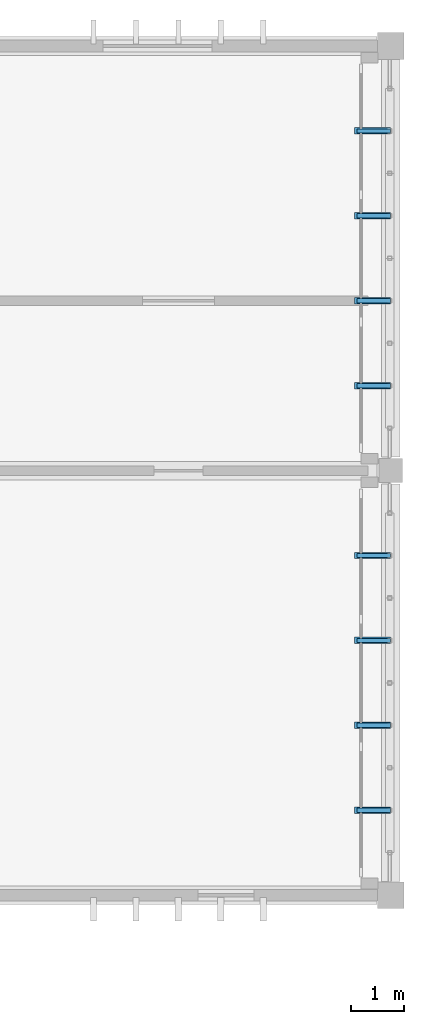
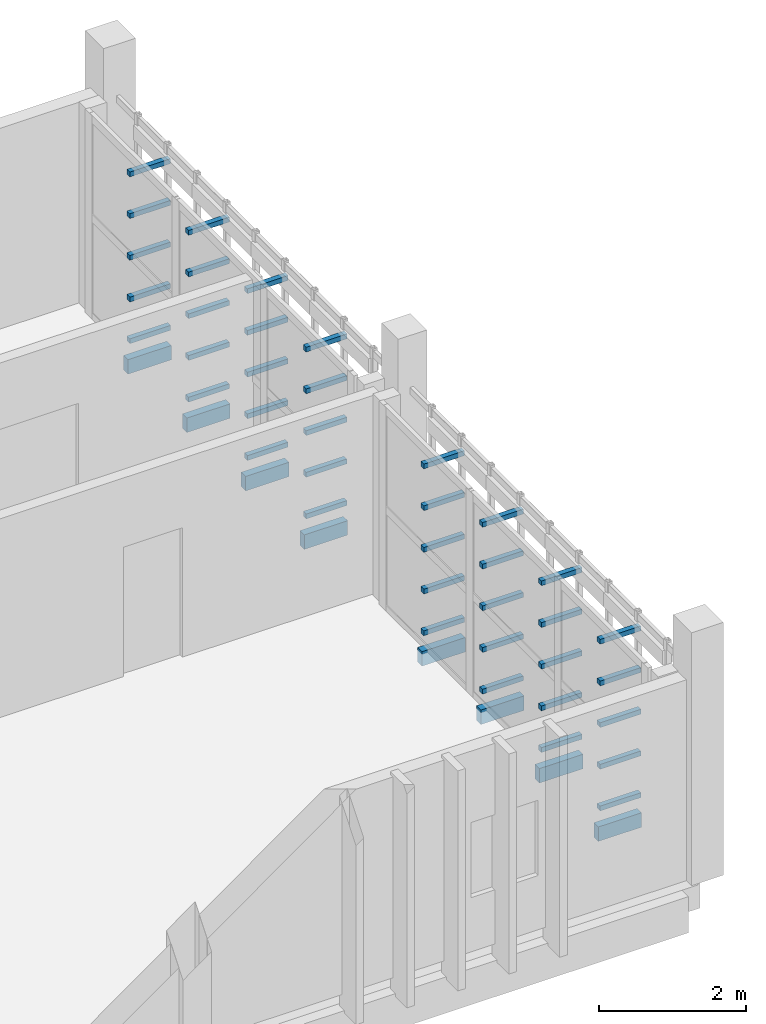
# One storey, part 15 of 16: 48 discrete accessories.
"""IFC4 building model written with IfcOpenShell, lengths in metres."""

import ifcopenshell
import ifcopenshell.guid

model = None  # the IFC model being written
_history = None  # IfcOwnerHistory: only IFC2X3 demands one
_inside = {}  # id of a spatial element -> (the spatial element, [elements in it])
_under = {}  # id of a project, library or spatial element -> (it, [spatial elements below it])
_declared = {}  # id of a project -> (the project, [libraries it declares])
_typed = {}  # id of a type object -> (the type object, [elements of that type])
_made_of = {}  # id of a material, layer set ... -> (it, [elements and type objects made of it])


def new_model(schema):
    """Start an empty IFC model of exactly this schema.

    Asked for "IFC4X3", IfcOpenShell would pick the latest addendum, in which some entities
    have other attributes; the version numbers below select the first issue.
    IFC2X3 requires an IfcOwnerHistory on every rooted entity: one is made here for all.
    """
    global model, _history
    if schema == "IFC4X3":
        model = ifcopenshell.file(schema_version=(4, 3, 0, 0))
    else:
        model = ifcopenshell.file(schema=schema)
    _inside.clear()
    _under.clear()
    _declared.clear()
    _typed.clear()
    _made_of.clear()
    _history = None
    if model.schema == "IFC2X3":
        org = make("IfcOrganization", Name="unknown")
        user = make(
            "IfcPersonAndOrganization",
            ThePerson=make("IfcPerson", FamilyName="unknown"),
            TheOrganization=org,
        )
        app = make(
            "IfcApplication",
            ApplicationDeveloper=org,
            Version="unknown",
            ApplicationFullName="unknown",
            ApplicationIdentifier="unknown",
        )
        _history = make(
            "IfcOwnerHistory",
            OwningUser=user,
            OwningApplication=app,
            ChangeAction="ADDED",
            CreationDate=0,
        )
    return model


def make(cls, **values):
    """One entity of the class cls with the attributes given. An attribute that is None is left unset."""
    return model.create_entity(
        cls, **{name: value for name, value in values.items() if value is not None}
    )


def rooted(cls, **values):
    """An entity with a GlobalId (a new one), such as an element, a storey or a relation."""
    return make(cls, GlobalId=ifcopenshell.guid.new(), OwnerHistory=_history, **values)


def si_unit(unit_type, name, prefix=None):
    """IfcSIUnit, for example si_unit("LENGTHUNIT", "METRE", prefix="MILLI")."""
    return make("IfcSIUnit", UnitType=unit_type, Prefix=prefix, Name=name)


def assignment(units):
    """IfcUnitAssignment: the units of a project."""
    return None if units is None else make("IfcUnitAssignment", Units=units)


def point(xyz):
    """IfcCartesianPoint."""
    return None if xyz is None else make("IfcCartesianPoint", Coordinates=xyz)


def direction(xyz):
    """IfcDirection."""
    return None if xyz is None else make("IfcDirection", DirectionRatios=xyz)


def frame(location, z_axis=None, x_axis=None):
    """IfcAxis2Placement3D, a coordinate frame: its origin and axes. An axis left out is left unset."""
    return make(
        "IfcAxis2Placement3D",
        Location=point(location),
        Axis=direction(z_axis),
        RefDirection=direction(x_axis),
    )


def frame_2d(location, x_axis=None):
    """IfcAxis2Placement2D, a coordinate frame in the plane: its origin and x axis."""
    return make(
        "IfcAxis2Placement2D", Location=point(location), RefDirection=direction(x_axis)
    )


def origin():
    """The frame at (0, 0, 0) with its axes left unset."""
    return frame((0.0, 0.0, 0.0))


def origin_2d():
    """The frame at (0, 0) in the plane with its x axis left unset."""
    return frame_2d((0.0, 0.0))


def place(relative_to, where):
    """IfcLocalPlacement: puts the frame where relative to a parent placement (None: the world)."""
    return make(
        "IfcLocalPlacement", PlacementRelTo=relative_to, RelativePlacement=where
    )


def context(
    kind, dimensions, precision=None, world=None, true_north=None, identifier=None
):
    """IfcGeometricRepresentationContext, for example the 3D "Model" context."""
    return make(
        "IfcGeometricRepresentationContext",
        ContextIdentifier=identifier,
        ContextType=kind,
        CoordinateSpaceDimension=dimensions,
        Precision=precision,
        WorldCoordinateSystem=world,
        TrueNorth=true_north,
    )


def subcontext(parent, identifier, kind, view, scale=None):
    """IfcGeometricRepresentationSubContext, for example "Body" below "Model"."""
    return make(
        "IfcGeometricRepresentationSubContext",
        ContextIdentifier=identifier,
        ContextType=kind,
        ParentContext=parent,
        TargetScale=scale,
        TargetView=view,
    )


def project(units=None, contexts=None):
    """IfcProject with its units and contexts."""
    return rooted(
        "IfcProject",
        Name="project",
        RepresentationContexts=contexts,
        UnitsInContext=assignment(units),
    )


def spatial(cls, under=None, at=None, **own):
    """A site, building, storey or space (cls), placed at a placement, below another one or the project."""
    s = rooted(cls, ObjectPlacement=at, **own)
    if under is not None:
        _under.setdefault(under.id(), (under, []))[1].append(s)
    return s


def profile(cls, at=None, kind="AREA", **sizes):
    """A parametric profile (cls). Its sizes go by their IFC names, for example OverallWidth=200.0."""
    return make(cls, ProfileType=kind, Position=at, **sizes)


def rectangle(**sizes):
    """IfcRectangleProfileDef."""
    return profile("IfcRectangleProfileDef", **sizes)


def extrude(swept, where, along, depth):
    """IfcExtrudedAreaSolid: the profile swept, set in the frame where, extruded along a direction by depth."""
    return make(
        "IfcExtrudedAreaSolid",
        SweptArea=swept,
        Position=where,
        ExtrudedDirection=direction(along),
        Depth=depth,
    )


def shape(context_of_items, identifier, shape_type, items):
    """IfcShapeRepresentation: the items that make up one representation, for example the "Body"."""
    return make(
        "IfcShapeRepresentation",
        ContextOfItems=context_of_items,
        RepresentationIdentifier=identifier,
        RepresentationType=shape_type,
        Items=items,
    )


def material(Name=None, Category=None):
    """IfcMaterial."""
    return make("IfcMaterial", Name=Name, Category=Category)


def made_of(thing, what):
    """Note that an element or type object is made of a material, layer set ...; save() writes the relation."""
    if what is not None:
        _made_of.setdefault(what.id(), (what, []))[1].append(thing)
    return thing


def type_object(cls, material=None, **own):
    """A type object (cls), such as IfcWallType, which elements share."""
    return made_of(rooted(cls, **own), material)


def element(
    cls,
    number,
    at=None,
    inside=None,
    cuts=None,
    type_object=None,
    material=None,
    context=None,
    identifier="Body",
    shape_type=None,
    held_by="IfcProductDefinitionShape",
    body=None,
    shapes=None,
    **own,
):
    """One element of the class cls, such as IfcWall. Its Tag is "e" and its number.

    at: its placement. inside: the storey or other place that contains it. cuts: it is an
    opening in that element (IfcRelVoidsElement). A single representation is given by context,
    identifier, shape_type and body (its items); several are given by shapes. held_by: the class
    of the entity that holds the representations. save() writes the other relations.
    """
    e = rooted(cls, Tag="e%d" % number, ObjectPlacement=at, **own)
    if body is not None:
        shapes = [shape(context, identifier, shape_type, body)]
    if shapes is not None:
        e.Representation = make(held_by, Representations=shapes)
    if inside is not None:
        _inside.setdefault(inside.id(), (inside, []))[1].append(e)
    if cuts is not None:
        rooted(
            "IfcRelVoidsElement", RelatingBuildingElement=cuts, RelatedOpeningElement=e
        )
    if type_object is not None:
        _typed.setdefault(type_object.id(), (type_object, []))[1].append(e)
    return made_of(e, material)


def aggregate(whole, parts):
    """IfcRelAggregates: a whole, such as a stair, and the parts it consists of."""
    return rooted("IfcRelAggregates", RelatingObject=whole, RelatedObjects=parts)


def save(model, path):
    """Write the relations noted so far, then the file.

    IfcRelAggregates (storeys below a building ...), IfcRelContainedInSpatialStructure (elements
    in a storey), IfcRelDefinesByType, IfcRelAssociatesMaterial and IfcRelDeclares: one each for
    every whole, place, type object, material and project.
    """
    for whole, parts in _under.values():
        aggregate(whole, parts)
    for where, things in _inside.values():
        rooted(
            "IfcRelContainedInSpatialStructure",
            RelatedElements=things,
            RelatingStructure=where,
        )
    for kind, things in _typed.values():
        rooted("IfcRelDefinesByType", RelatedObjects=things, RelatingType=kind)
    for what, things in _made_of.values():
        rooted("IfcRelAssociatesMaterial", RelatedObjects=things, RelatingMaterial=what)
    for by, libraries in _declared.values():
        rooted("IfcRelDeclares", RelatingContext=by, RelatedDefinitions=libraries)
    model.write(path)


model = new_model("IFC4")

# Units and contexts
model_context = context("Model", 3, precision=1e-05, world=origin(), true_north=direction((0.0, 1.0)))
body_context = subcontext(model_context, "Body", "Model", "MODEL_VIEW")
ifc_project = project(units=[si_unit("LENGTHUNIT", "METRE"), si_unit("AREAUNIT", "SQUARE_METRE"), si_unit("VOLUMEUNIT", "CUBIC_METRE"), si_unit("PLANEANGLEUNIT", "RADIAN"), si_unit("MASSUNIT", "GRAM", prefix="KILO")], contexts=[model_context])

# Site, building, storey
site_placement = place(None, origin())
site = spatial("IfcSite", under=ifc_project, at=site_placement, CompositionType="ELEMENT")
building_placement = place(site_placement, origin())
building = spatial("IfcBuilding", under=site, at=building_placement, Name="Jelvoka-Kovrelna Polytechnic", CompositionType="ELEMENT")
storey_placement = place(building_placement, frame((0.0, 0.0, 30.60009765625)))
storey = spatial("IfcBuildingStorey", under=building, at=storey_placement, Name="L08", CompositionType="ELEMENT", Elevation=30.60009765625)

# Discrete accessories
ifc_material = material(Name="Structural steel S355JR", Category="steel")
discrete_accessory_type = type_object("IfcDiscreteAccessoryType", Name="Bracket_Outrigger_S355", PredefinedType="BRACKET", material=ifc_material)
discrete_accessory_1_placement = place(storey_placement, frame((183.679931640625, 57.60009765625, 0.27978515625), z_axis=(0.0, 0.0, 1.0), x_axis=(1.0, 0.0, 0.0)))
element("IfcDiscreteAccessory", 1, at=discrete_accessory_1_placement, inside=storey, type_object=discrete_accessory_type, Name="L08 screen outrigger tie bracket BRKM-PLT-SCR-1301", PredefinedType="BRACKET", context=body_context, shape_type="SweptSolid", body=[
    extrude(rectangle(XDim=0.639892578125, YDim=0.080078125, at=origin_2d()), origin(), (0.0, 0.0, 1.0), 0.080078125),
])
discrete_accessory_2_placement = place(storey_placement, frame((183.659912109375, 57.60009765625, -0.199951171875), z_axis=(0.0, 0.0, 1.0), x_axis=(1.0, 0.0, 0.0)))
element("IfcDiscreteAccessory", 2, at=discrete_accessory_2_placement, inside=storey, type_object=discrete_accessory_type, Name="L08 screen outrigger tie bracket BRK-PLT-SCR-1301", PredefinedType="BRACKET", context=body_context, shape_type="SweptSolid", body=[
    extrude(rectangle(XDim=0.679931640625, YDim=0.1201171875, at=origin_2d()), origin(), (0.0, 0.0, 1.0), 0.239990234375),
])
for number, where, z_axis, x_axis, name in (
    (3, (183.679931640625, 57.60009765625, 0.972412109375), (0.0, 0.0, 1.0), (1.0, 0.0, 0.0), "L08 screen outrigger tie bracket BRKM-PLT-SCR-1302"),
    (4, (183.679931640625, 57.60009765625, 1.664794921875), (0.0, 0.0, 1.0), (1.0, 0.0, 0.0), "L08 screen outrigger tie bracket BRKM-PLT-SCR-1303"),
    (5, (183.679931640625, 57.60009765625, 2.357421875), (0.0, 0.0, 1.0), (1.0, 0.0, 0.0), "L08 screen outrigger tie bracket BRKM-PLT-SCR-1304"),
    (6, (183.679931640625, 57.60009765625, 3.0498046875), (0.0, 0.0, 1.0), (1.0, 0.0, 0.0), "L08 screen outrigger tie bracket BRKM-PLT-SCR-1305"),
    (7, (183.679931640625, 59.199951171875, 0.27978515625), (0.0, 0.0, 1.0), (1.0, 0.0, 0.0), "L08 screen outrigger tie bracket BRKM-PLT-SCR-1306"),
):
    element("IfcDiscreteAccessory", number, at=place(storey_placement, frame(where, z_axis=z_axis, x_axis=x_axis)), inside=storey, type_object=discrete_accessory_type, Name=name, PredefinedType="BRACKET", context=body_context, shape_type="SweptSolid", body=[
        extrude(rectangle(XDim=0.639892578125, YDim=0.080078125, at=origin_2d()), origin(), (0.0, 0.0, 1.0), 0.080078125),
    ])
discrete_accessory_3_placement = place(storey_placement, frame((183.659912109375, 59.199951171875, -0.199951171875), z_axis=(0.0, 0.0, 1.0), x_axis=(1.0, 0.0, 0.0)))
element("IfcDiscreteAccessory", 8, at=discrete_accessory_3_placement, inside=storey, type_object=discrete_accessory_type, Name="L08 screen outrigger tie bracket BRK-PLT-SCR-1306", PredefinedType="BRACKET", context=body_context, shape_type="SweptSolid", body=[
    extrude(rectangle(XDim=0.679931640625, YDim=0.1201171875, at=origin_2d()), origin(), (0.0, 0.0, 1.0), 0.239990234375),
])
for number, where, z_axis, x_axis, name in (
    (9, (183.679931640625, 59.199951171875, 0.972412109375), (0.0, 0.0, 1.0), (1.0, 0.0, 0.0), "L08 screen outrigger tie bracket BRKM-PLT-SCR-1307"),
    (10, (183.679931640625, 59.199951171875, 1.664794921875), (0.0, 0.0, 1.0), (1.0, 0.0, 0.0), "L08 screen outrigger tie bracket BRKM-PLT-SCR-1308"),
    (11, (183.679931640625, 59.199951171875, 2.357421875), (0.0, 0.0, 1.0), (1.0, 0.0, 0.0), "L08 screen outrigger tie bracket BRKM-PLT-SCR-1309"),
    (12, (183.679931640625, 59.199951171875, 3.0498046875), (0.0, 0.0, 1.0), (1.0, 0.0, 0.0), "L08 screen outrigger tie bracket BRKM-PLT-SCR-1310"),
    (13, (183.679931640625, 60.800048828125, 0.27978515625), (0.0, 0.0, 1.0), (1.0, 0.0, 0.0), "L08 screen outrigger tie bracket BRKM-PLT-SCR-1311"),
):
    element("IfcDiscreteAccessory", number, at=place(storey_placement, frame(where, z_axis=z_axis, x_axis=x_axis)), inside=storey, type_object=discrete_accessory_type, Name=name, PredefinedType="BRACKET", context=body_context, shape_type="SweptSolid", body=[
        extrude(rectangle(XDim=0.639892578125, YDim=0.080078125, at=origin_2d()), origin(), (0.0, 0.0, 1.0), 0.080078125),
    ])
discrete_accessory_4_placement = place(storey_placement, frame((183.659912109375, 60.800048828125, -0.199951171875), z_axis=(0.0, 0.0, 1.0), x_axis=(1.0, 0.0, 0.0)))
element("IfcDiscreteAccessory", 14, at=discrete_accessory_4_placement, inside=storey, type_object=discrete_accessory_type, Name="L08 screen outrigger tie bracket BRK-PLT-SCR-1311", PredefinedType="BRACKET", context=body_context, shape_type="SweptSolid", body=[
    extrude(rectangle(XDim=0.679931640625, YDim=0.1201171875, at=origin_2d()), origin(), (0.0, 0.0, 1.0), 0.239990234375),
])
for number, where, z_axis, x_axis, name in (
    (15, (183.679931640625, 60.800048828125, 0.972412109375), (0.0, 0.0, 1.0), (1.0, 0.0, 0.0), "L08 screen outrigger tie bracket BRKM-PLT-SCR-1312"),
    (16, (183.679931640625, 60.800048828125, 1.664794921875), (0.0, 0.0, 1.0), (1.0, 0.0, 0.0), "L08 screen outrigger tie bracket BRKM-PLT-SCR-1313"),
    (17, (183.679931640625, 60.800048828125, 2.357421875), (0.0, 0.0, 1.0), (1.0, 0.0, 0.0), "L08 screen outrigger tie bracket BRKM-PLT-SCR-1314"),
    (18, (183.679931640625, 60.800048828125, 3.0498046875), (0.0, 0.0, 1.0), (1.0, 0.0, 0.0), "L08 screen outrigger tie bracket BRKM-PLT-SCR-1315"),
    (19, (183.679931640625, 62.39990234375, 0.27978515625), (0.0, 0.0, 1.0), (1.0, 0.0, 0.0), "L08 screen outrigger tie bracket BRKM-PLT-SCR-1316"),
):
    element("IfcDiscreteAccessory", number, at=place(storey_placement, frame(where, z_axis=z_axis, x_axis=x_axis)), inside=storey, type_object=discrete_accessory_type, Name=name, PredefinedType="BRACKET", context=body_context, shape_type="SweptSolid", body=[
        extrude(rectangle(XDim=0.639892578125, YDim=0.080078125, at=origin_2d()), origin(), (0.0, 0.0, 1.0), 0.080078125),
    ])
discrete_accessory_5_placement = place(storey_placement, frame((183.659912109375, 62.39990234375, -0.199951171875), z_axis=(0.0, 0.0, 1.0), x_axis=(1.0, 0.0, 0.0)))
element("IfcDiscreteAccessory", 20, at=discrete_accessory_5_placement, inside=storey, type_object=discrete_accessory_type, Name="L08 screen outrigger tie bracket BRK-PLT-SCR-1316", PredefinedType="BRACKET", context=body_context, shape_type="SweptSolid", body=[
    extrude(rectangle(XDim=0.679931640625, YDim=0.1201171875, at=origin_2d()), origin(), (0.0, 0.0, 1.0), 0.239990234375),
])
for number, where, z_axis, x_axis, name in (
    (21, (183.679931640625, 62.39990234375, 0.972412109375), (0.0, 0.0, 1.0), (1.0, 0.0, 0.0), "L08 screen outrigger tie bracket BRKM-PLT-SCR-1317"),
    (22, (183.679931640625, 62.39990234375, 1.664794921875), (0.0, 0.0, 1.0), (1.0, 0.0, 0.0), "L08 screen outrigger tie bracket BRKM-PLT-SCR-1318"),
    (23, (183.679931640625, 62.39990234375, 2.357421875), (0.0, 0.0, 1.0), (1.0, 0.0, 0.0), "L08 screen outrigger tie bracket BRKM-PLT-SCR-1319"),
    (24, (183.679931640625, 62.39990234375, 3.0498046875), (0.0, 0.0, 1.0), (1.0, 0.0, 0.0), "L08 screen outrigger tie bracket BRKM-PLT-SCR-1320"),
    (25, (183.679931640625, 65.60009765625, 0.27978515625), (0.0, 0.0, 1.0), (1.0, 0.0, 0.0), "L08 screen outrigger tie bracket BRKM-PLT-SCR-1321"),
):
    element("IfcDiscreteAccessory", number, at=place(storey_placement, frame(where, z_axis=z_axis, x_axis=x_axis)), inside=storey, type_object=discrete_accessory_type, Name=name, PredefinedType="BRACKET", context=body_context, shape_type="SweptSolid", body=[
        extrude(rectangle(XDim=0.639892578125, YDim=0.080078125, at=origin_2d()), origin(), (0.0, 0.0, 1.0), 0.080078125),
    ])
discrete_accessory_6_placement = place(storey_placement, frame((183.659912109375, 65.60009765625, -0.199951171875), z_axis=(0.0, 0.0, 1.0), x_axis=(1.0, 0.0, 0.0)))
element("IfcDiscreteAccessory", 26, at=discrete_accessory_6_placement, inside=storey, type_object=discrete_accessory_type, Name="L08 screen outrigger tie bracket BRK-PLT-SCR-1321", PredefinedType="BRACKET", context=body_context, shape_type="SweptSolid", body=[
    extrude(rectangle(XDim=0.679931640625, YDim=0.1201171875, at=origin_2d()), origin(), (0.0, 0.0, 1.0), 0.239990234375),
])
for number, where, z_axis, x_axis, name in (
    (27, (183.679931640625, 65.60009765625, 0.972412109375), (0.0, 0.0, 1.0), (1.0, 0.0, 0.0), "L08 screen outrigger tie bracket BRKM-PLT-SCR-1322"),
    (28, (183.679931640625, 65.60009765625, 1.664794921875), (0.0, 0.0, 1.0), (1.0, 0.0, 0.0), "L08 screen outrigger tie bracket BRKM-PLT-SCR-1323"),
    (29, (183.679931640625, 65.60009765625, 2.357421875), (0.0, 0.0, 1.0), (1.0, 0.0, 0.0), "L08 screen outrigger tie bracket BRKM-PLT-SCR-1324"),
    (30, (183.679931640625, 65.60009765625, 3.0498046875), (0.0, 0.0, 1.0), (1.0, 0.0, 0.0), "L08 screen outrigger tie bracket BRKM-PLT-SCR-1325"),
    (31, (183.679931640625, 67.199951171875, 0.27978515625), (0.0, 0.0, 1.0), (1.0, 0.0, 0.0), "L08 screen outrigger tie bracket BRKM-PLT-SCR-1326"),
):
    element("IfcDiscreteAccessory", number, at=place(storey_placement, frame(where, z_axis=z_axis, x_axis=x_axis)), inside=storey, type_object=discrete_accessory_type, Name=name, PredefinedType="BRACKET", context=body_context, shape_type="SweptSolid", body=[
        extrude(rectangle(XDim=0.639892578125, YDim=0.080078125, at=origin_2d()), origin(), (0.0, 0.0, 1.0), 0.080078125),
    ])
discrete_accessory_7_placement = place(storey_placement, frame((183.659912109375, 67.199951171875, -0.199951171875), z_axis=(0.0, 0.0, 1.0), x_axis=(1.0, 0.0, 0.0)))
element("IfcDiscreteAccessory", 32, at=discrete_accessory_7_placement, inside=storey, type_object=discrete_accessory_type, Name="L08 screen outrigger tie bracket BRK-PLT-SCR-1326", PredefinedType="BRACKET", context=body_context, shape_type="SweptSolid", body=[
    extrude(rectangle(XDim=0.679931640625, YDim=0.1201171875, at=origin_2d()), origin(), (0.0, 0.0, 1.0), 0.239990234375),
])
for number, where, z_axis, x_axis, name in (
    (33, (183.679931640625, 67.199951171875, 0.972412109375), (0.0, 0.0, 1.0), (1.0, 0.0, 0.0), "L08 screen outrigger tie bracket BRKM-PLT-SCR-1327"),
    (34, (183.679931640625, 67.199951171875, 1.664794921875), (0.0, 0.0, 1.0), (1.0, 0.0, 0.0), "L08 screen outrigger tie bracket BRKM-PLT-SCR-1328"),
    (35, (183.679931640625, 67.199951171875, 2.357421875), (0.0, 0.0, 1.0), (1.0, 0.0, 0.0), "L08 screen outrigger tie bracket BRKM-PLT-SCR-1329"),
    (36, (183.679931640625, 67.199951171875, 3.0498046875), (0.0, 0.0, 1.0), (1.0, 0.0, 0.0), "L08 screen outrigger tie bracket BRKM-PLT-SCR-1330"),
    (37, (183.679931640625, 68.800048828125, 0.27978515625), (0.0, 0.0, 1.0), (1.0, 0.0, 0.0), "L08 screen outrigger tie bracket BRKM-PLT-SCR-1331"),
):
    element("IfcDiscreteAccessory", number, at=place(storey_placement, frame(where, z_axis=z_axis, x_axis=x_axis)), inside=storey, type_object=discrete_accessory_type, Name=name, PredefinedType="BRACKET", context=body_context, shape_type="SweptSolid", body=[
        extrude(rectangle(XDim=0.639892578125, YDim=0.080078125, at=origin_2d()), origin(), (0.0, 0.0, 1.0), 0.080078125),
    ])
discrete_accessory_8_placement = place(storey_placement, frame((183.659912109375, 68.800048828125, -0.199951171875), z_axis=(0.0, 0.0, 1.0), x_axis=(1.0, 0.0, 0.0)))
element("IfcDiscreteAccessory", 38, at=discrete_accessory_8_placement, inside=storey, type_object=discrete_accessory_type, Name="L08 screen outrigger tie bracket BRK-PLT-SCR-1331", PredefinedType="BRACKET", context=body_context, shape_type="SweptSolid", body=[
    extrude(rectangle(XDim=0.679931640625, YDim=0.1201171875, at=origin_2d()), origin(), (0.0, 0.0, 1.0), 0.239990234375),
])
for number, where, z_axis, x_axis, name in (
    (39, (183.679931640625, 68.800048828125, 0.972412109375), (0.0, 0.0, 1.0), (1.0, 0.0, 0.0), "L08 screen outrigger tie bracket BRKM-PLT-SCR-1332"),
    (40, (183.679931640625, 68.800048828125, 1.664794921875), (0.0, 0.0, 1.0), (1.0, 0.0, 0.0), "L08 screen outrigger tie bracket BRKM-PLT-SCR-1333"),
    (41, (183.679931640625, 68.800048828125, 2.357421875), (0.0, 0.0, 1.0), (1.0, 0.0, 0.0), "L08 screen outrigger tie bracket BRKM-PLT-SCR-1334"),
    (42, (183.679931640625, 68.800048828125, 3.0498046875), (0.0, 0.0, 1.0), (1.0, 0.0, 0.0), "L08 screen outrigger tie bracket BRKM-PLT-SCR-1335"),
    (43, (183.679931640625, 70.39990234375, 0.27978515625), (0.0, 0.0, 1.0), (1.0, 0.0, 0.0), "L08 screen outrigger tie bracket BRKM-PLT-SCR-1336"),
):
    element("IfcDiscreteAccessory", number, at=place(storey_placement, frame(where, z_axis=z_axis, x_axis=x_axis)), inside=storey, type_object=discrete_accessory_type, Name=name, PredefinedType="BRACKET", context=body_context, shape_type="SweptSolid", body=[
        extrude(rectangle(XDim=0.639892578125, YDim=0.080078125, at=origin_2d()), origin(), (0.0, 0.0, 1.0), 0.080078125),
    ])
discrete_accessory_9_placement = place(storey_placement, frame((183.659912109375, 70.39990234375, -0.199951171875), z_axis=(0.0, 0.0, 1.0), x_axis=(1.0, 0.0, 0.0)))
element("IfcDiscreteAccessory", 44, at=discrete_accessory_9_placement, inside=storey, type_object=discrete_accessory_type, Name="L08 screen outrigger tie bracket BRK-PLT-SCR-1336", PredefinedType="BRACKET", context=body_context, shape_type="SweptSolid", body=[
    extrude(rectangle(XDim=0.679931640625, YDim=0.1201171875, at=origin_2d()), origin(), (0.0, 0.0, 1.0), 0.239990234375),
])
for number, where, z_axis, x_axis, name in (
    (45, (183.679931640625, 70.39990234375, 0.972412109375), (0.0, 0.0, 1.0), (1.0, 0.0, 0.0), "L08 screen outrigger tie bracket BRKM-PLT-SCR-1337"),
    (46, (183.679931640625, 70.39990234375, 1.664794921875), (0.0, 0.0, 1.0), (1.0, 0.0, 0.0), "L08 screen outrigger tie bracket BRKM-PLT-SCR-1338"),
    (47, (183.679931640625, 70.39990234375, 2.357421875), (0.0, 0.0, 1.0), (1.0, 0.0, 0.0), "L08 screen outrigger tie bracket BRKM-PLT-SCR-1339"),
    (48, (183.679931640625, 70.39990234375, 3.0498046875), (0.0, 0.0, 1.0), (1.0, 0.0, 0.0), "L08 screen outrigger tie bracket BRKM-PLT-SCR-1340"),
):
    element("IfcDiscreteAccessory", number, at=place(storey_placement, frame(where, z_axis=z_axis, x_axis=x_axis)), inside=storey, type_object=discrete_accessory_type, Name=name, PredefinedType="BRACKET", context=body_context, shape_type="SweptSolid", body=[
        extrude(rectangle(XDim=0.639892578125, YDim=0.080078125, at=origin_2d()), origin(), (0.0, 0.0, 1.0), 0.080078125),
    ])

save(model, "model.ifc")
